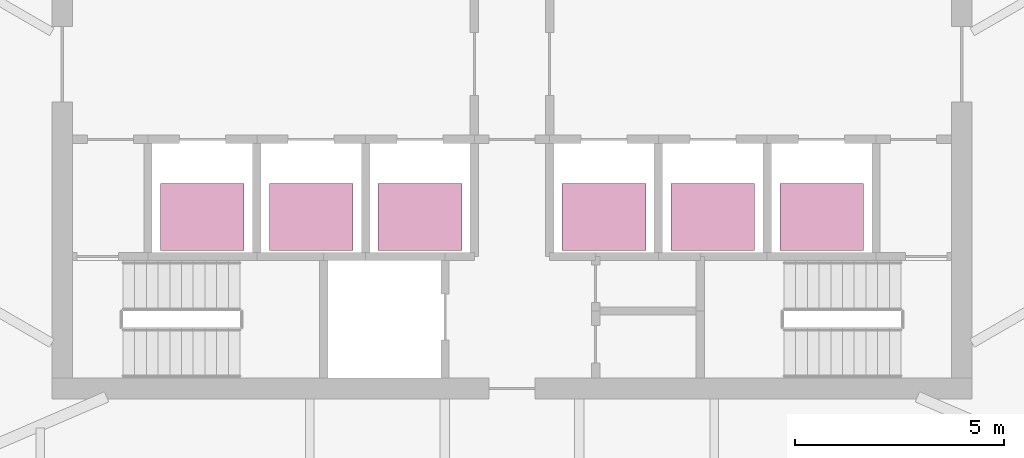
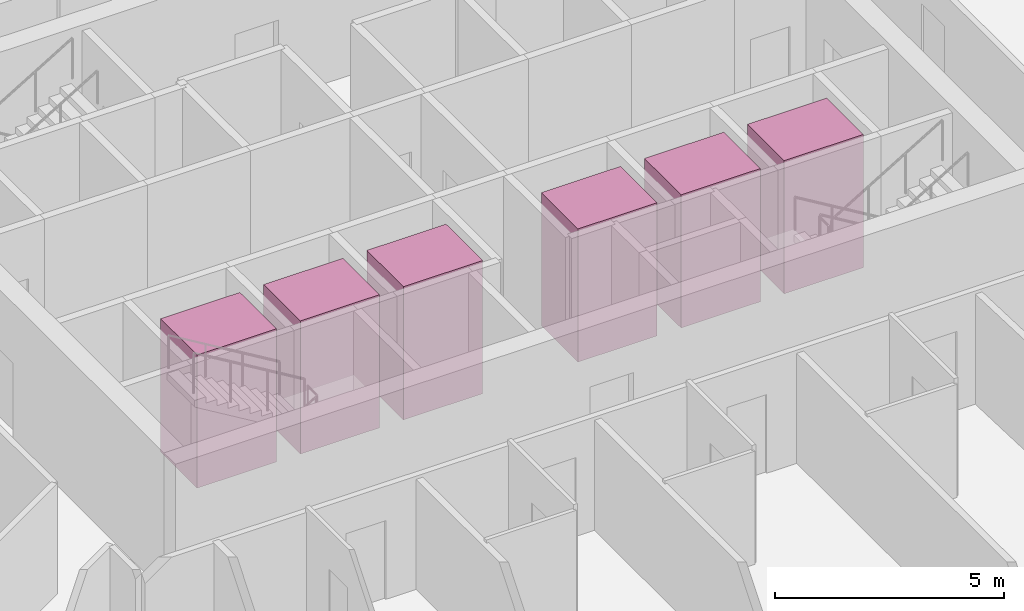
# One storey, part 22 of 22: 6 transport elements.
"""IFC4 building model written with IfcOpenShell, lengths in metres."""

from ifc_helpers import new_model, si_unit, direction, frame, origin, origin_2d, place, context, subcontext, project, spatial, rectangle, extrude, material, type_object, element, save


model = new_model("IFC4")

# Units and contexts
model_context = context("Model", 3, precision=1e-05, world=origin(), true_north=direction((0.0, 1.0)))
body_context = subcontext(model_context, "Body", "Model", "MODEL_VIEW")
ifc_project = project(units=[si_unit("LENGTHUNIT", "METRE"), si_unit("AREAUNIT", "SQUARE_METRE"), si_unit("VOLUMEUNIT", "CUBIC_METRE"), si_unit("PLANEANGLEUNIT", "RADIAN"), si_unit("MASSUNIT", "GRAM", prefix="KILO")], contexts=[model_context])

# Site, building, storey
site_placement = place(None, origin())
site = spatial("IfcSite", under=ifc_project, at=site_placement, CompositionType="ELEMENT")
building_placement = place(site_placement, origin())
building = spatial("IfcBuilding", under=site, at=building_placement, Name="Sierra Prisma Convention Tower", CompositionType="ELEMENT")
storey_placement = place(building_placement, frame((0.0, 0.0, 96.10009765625)))
storey = spatial("IfcBuildingStorey", under=building, at=storey_placement, Name="L20", CompositionType="ELEMENT", Elevation=96.10009765625)

# Transport elements
ifc_material = material(Name="Stainless steel", Category="steel")
transport_element_type = type_object("IfcTransportElementType", Name="Lift car hotel 2000x1600 1600 kg", PredefinedType="ELEVATOR", material=ifc_material)
for number, where, z_axis, x_axis, name in (
    (1, (-7.39990234375, -3.64990234375, 0.0), (0.0, 0.0, 1.0), (1.0, 0.0, 0.0), "Lift HT1"),
    (2, (-4.800048828125, -3.64990234375, 0.0), (0.0, 0.0, 1.0), (1.0, 0.0, 0.0), "Lift HT2"),
    (3, (-2.199951171875, -3.64990234375, 0.0), (0.0, 0.0, 1.0), (1.0, 0.0, 0.0), "Lift HT3"),
    (4, (2.199951171875, -3.64990234375, 0.0), (0.0, 0.0, 1.0), (1.0, 0.0, 0.0), "Lift HT4"),
    (5, (4.800048828125, -3.64990234375, 0.0), (0.0, 0.0, 1.0), (1.0, 0.0, 0.0), "Lift HT5"),
    (6, (7.39990234375, -3.64990234375, 0.0), (0.0, 0.0, 1.0), (1.0, 0.0, 0.0), "Lift HT6"),
):
    element("IfcTransportElement", number, at=place(storey_placement, frame(where, z_axis=z_axis, x_axis=x_axis)), inside=storey, type_object=transport_element_type, Name=name, PredefinedType="ELEVATOR", context=body_context, shape_type="SweptSolid", body=[
        extrude(rectangle(XDim=2.0, YDim=1.60009765625, at=origin_2d()), origin(), (0.0, 0.0, 1.0), 3.550048828125),
    ])

save(model, "model.ifc")
